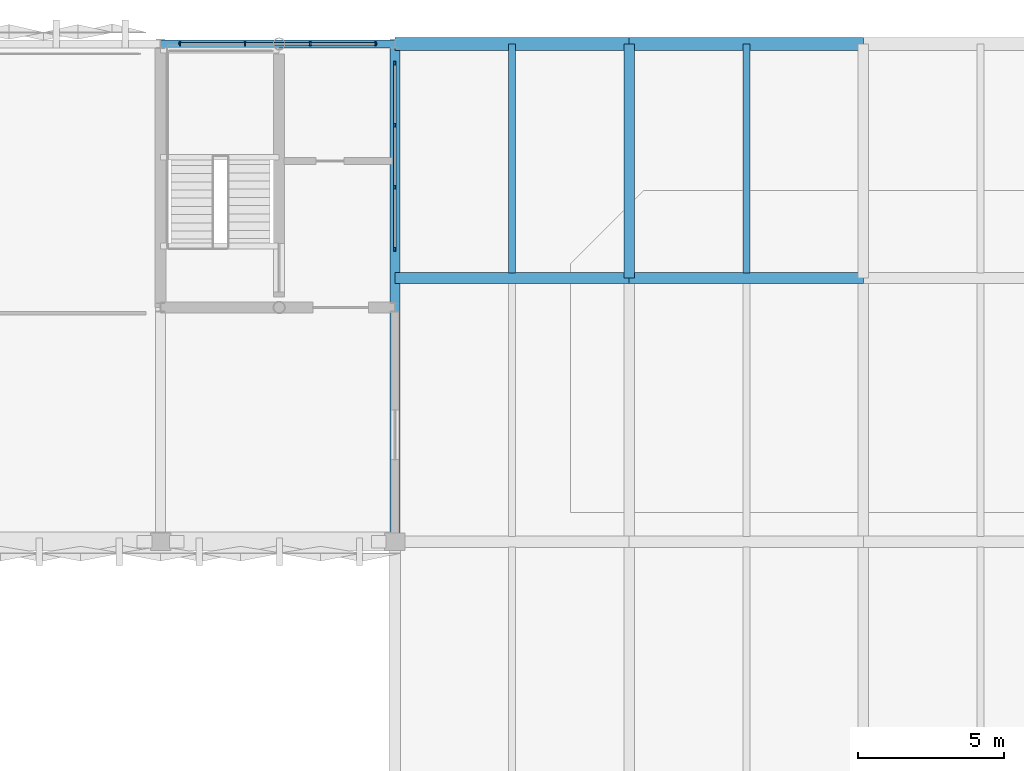
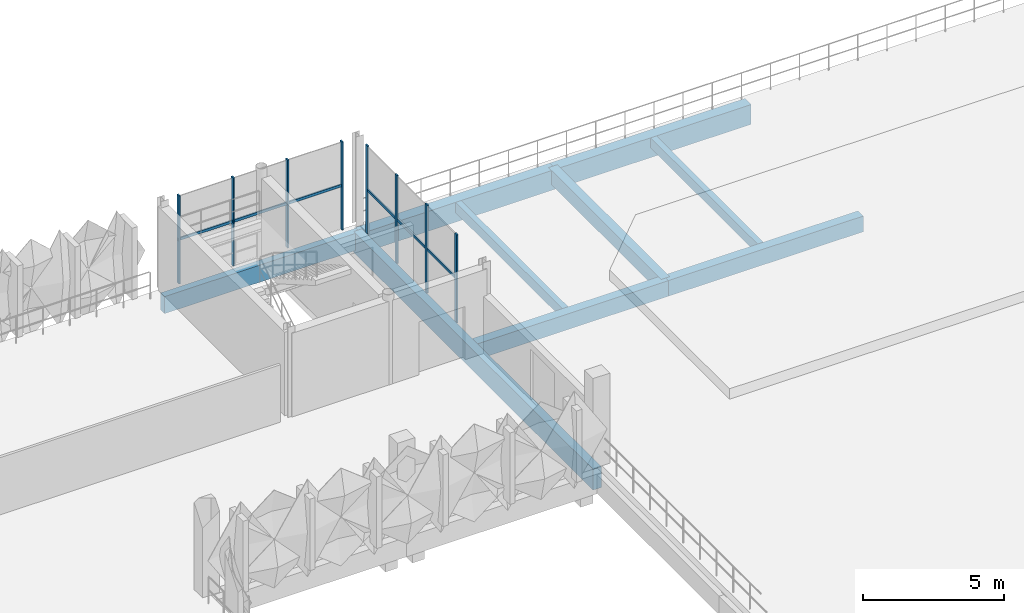
# One storey, part 16 of 52: 10 members, 9 beams, 2 elements without a shape of their own.
"""IFC4 building model written with IfcOpenShell, lengths in metres."""

import ifcopenshell
import ifcopenshell.guid

model = None  # the IFC model being written
_history = None  # IfcOwnerHistory: only IFC2X3 demands one
_inside = {}  # id of a spatial element -> (the spatial element, [elements in it])
_under = {}  # id of a project, library or spatial element -> (it, [spatial elements below it])
_declared = {}  # id of a project -> (the project, [libraries it declares])
_typed = {}  # id of a type object -> (the type object, [elements of that type])
_made_of = {}  # id of a material, layer set ... -> (it, [elements and type objects made of it])


def new_model(schema):
    """Start an empty IFC model of exactly this schema.

    Asked for "IFC4X3", IfcOpenShell would pick the latest addendum, in which some entities
    have other attributes; the version numbers below select the first issue.
    IFC2X3 requires an IfcOwnerHistory on every rooted entity: one is made here for all.
    """
    global model, _history
    if schema == "IFC4X3":
        model = ifcopenshell.file(schema_version=(4, 3, 0, 0))
    else:
        model = ifcopenshell.file(schema=schema)
    _inside.clear()
    _under.clear()
    _declared.clear()
    _typed.clear()
    _made_of.clear()
    _history = None
    if model.schema == "IFC2X3":
        org = make("IfcOrganization", Name="unknown")
        user = make(
            "IfcPersonAndOrganization",
            ThePerson=make("IfcPerson", FamilyName="unknown"),
            TheOrganization=org,
        )
        app = make(
            "IfcApplication",
            ApplicationDeveloper=org,
            Version="unknown",
            ApplicationFullName="unknown",
            ApplicationIdentifier="unknown",
        )
        _history = make(
            "IfcOwnerHistory",
            OwningUser=user,
            OwningApplication=app,
            ChangeAction="ADDED",
            CreationDate=0,
        )
    return model


def make(cls, **values):
    """One entity of the class cls with the attributes given. An attribute that is None is left unset."""
    return model.create_entity(
        cls, **{name: value for name, value in values.items() if value is not None}
    )


def rooted(cls, **values):
    """An entity with a GlobalId (a new one), such as an element, a storey or a relation."""
    return make(cls, GlobalId=ifcopenshell.guid.new(), OwnerHistory=_history, **values)


def si_unit(unit_type, name, prefix=None):
    """IfcSIUnit, for example si_unit("LENGTHUNIT", "METRE", prefix="MILLI")."""
    return make("IfcSIUnit", UnitType=unit_type, Prefix=prefix, Name=name)


def derived_unit(unit_type, elements):
    """IfcDerivedUnit: a product of units, each with its exponent."""
    return make(
        "IfcDerivedUnit",
        Elements=[
            make("IfcDerivedUnitElement", Unit=unit, Exponent=power)
            for unit, power in elements
        ],
        UnitType=unit_type,
    )


def assignment(units):
    """IfcUnitAssignment: the units of a project."""
    return None if units is None else make("IfcUnitAssignment", Units=units)


def point(xyz):
    """IfcCartesianPoint."""
    return None if xyz is None else make("IfcCartesianPoint", Coordinates=xyz)


def direction(xyz):
    """IfcDirection."""
    return None if xyz is None else make("IfcDirection", DirectionRatios=xyz)


def frame(location, z_axis=None, x_axis=None):
    """IfcAxis2Placement3D, a coordinate frame: its origin and axes. An axis left out is left unset."""
    return make(
        "IfcAxis2Placement3D",
        Location=point(location),
        Axis=direction(z_axis),
        RefDirection=direction(x_axis),
    )


def frame_2d(location, x_axis=None):
    """IfcAxis2Placement2D, a coordinate frame in the plane: its origin and x axis."""
    return make(
        "IfcAxis2Placement2D", Location=point(location), RefDirection=direction(x_axis)
    )


def origin():
    """The frame at (0, 0, 0) with its axes left unset."""
    return frame((0.0, 0.0, 0.0))


def origin_2d():
    """The frame at (0, 0) in the plane with its x axis left unset."""
    return frame_2d((0.0, 0.0))


def place(relative_to, where):
    """IfcLocalPlacement: puts the frame where relative to a parent placement (None: the world)."""
    return make(
        "IfcLocalPlacement", PlacementRelTo=relative_to, RelativePlacement=where
    )


def context(
    kind, dimensions, precision=None, world=None, true_north=None, identifier=None
):
    """IfcGeometricRepresentationContext, for example the 3D "Model" context."""
    return make(
        "IfcGeometricRepresentationContext",
        ContextIdentifier=identifier,
        ContextType=kind,
        CoordinateSpaceDimension=dimensions,
        Precision=precision,
        WorldCoordinateSystem=world,
        TrueNorth=true_north,
    )


def subcontext(parent, identifier, kind, view, scale=None):
    """IfcGeometricRepresentationSubContext, for example "Body" below "Model"."""
    return make(
        "IfcGeometricRepresentationSubContext",
        ContextIdentifier=identifier,
        ContextType=kind,
        ParentContext=parent,
        TargetScale=scale,
        TargetView=view,
    )


def project(units=None, contexts=None):
    """IfcProject with its units and contexts."""
    return rooted(
        "IfcProject",
        Name="project",
        RepresentationContexts=contexts,
        UnitsInContext=assignment(units),
    )


def spatial(cls, under=None, at=None, **own):
    """A site, building, storey or space (cls), placed at a placement, below another one or the project."""
    s = rooted(cls, ObjectPlacement=at, **own)
    if under is not None:
        _under.setdefault(under.id(), (under, []))[1].append(s)
    return s


def profile(cls, at=None, kind="AREA", **sizes):
    """A parametric profile (cls). Its sizes go by their IFC names, for example OverallWidth=200.0."""
    return make(cls, ProfileType=kind, Position=at, **sizes)


def rectangle(**sizes):
    """IfcRectangleProfileDef."""
    return profile("IfcRectangleProfileDef", **sizes)


def extrude(swept, where, along, depth):
    """IfcExtrudedAreaSolid: the profile swept, set in the frame where, extruded along a direction by depth."""
    return make(
        "IfcExtrudedAreaSolid",
        SweptArea=swept,
        Position=where,
        ExtrudedDirection=direction(along),
        Depth=depth,
    )


def shape(context_of_items, identifier, shape_type, items):
    """IfcShapeRepresentation: the items that make up one representation, for example the "Body"."""
    return make(
        "IfcShapeRepresentation",
        ContextOfItems=context_of_items,
        RepresentationIdentifier=identifier,
        RepresentationType=shape_type,
        Items=items,
    )


def material(Name=None, Category=None):
    """IfcMaterial."""
    return make("IfcMaterial", Name=Name, Category=Category)


def layer(
    of_material, thickness, ventilated=None, Name=None, Category=None, Priority=None
):
    """IfcMaterialLayer: one layer of a wall or slab, of a material (None: an air gap)."""
    return make(
        "IfcMaterialLayer",
        Material=of_material,
        LayerThickness=thickness,
        IsVentilated=ventilated,
        Name=Name,
        Category=Category,
        Priority=Priority,
    )


def layer_set(layers, Name=None):
    """IfcMaterialLayerSet."""
    return make("IfcMaterialLayerSet", MaterialLayers=layers, LayerSetName=Name)


def material_profile(
    of_material, cross_section, Name=None, Category=None, Priority=None
):
    """IfcMaterialProfile: a cross section and its material."""
    return make(
        "IfcMaterialProfile",
        Name=Name,
        Material=of_material,
        Profile=cross_section,
        Priority=Priority,
        Category=Category,
    )


def profile_set(profiles, Name=None, composite=None):
    """IfcMaterialProfileSet."""
    return make(
        "IfcMaterialProfileSet",
        Name=Name,
        MaterialProfiles=profiles,
        CompositeProfile=composite,
    )


def made_of(thing, what):
    """Note that an element or type object is made of a material, layer set ...; save() writes the relation."""
    if what is not None:
        _made_of.setdefault(what.id(), (what, []))[1].append(thing)
    return thing


def type_object(cls, material=None, **own):
    """A type object (cls), such as IfcWallType, which elements share."""
    return made_of(rooted(cls, **own), material)


def element(
    cls,
    number,
    at=None,
    inside=None,
    cuts=None,
    type_object=None,
    material=None,
    context=None,
    identifier="Body",
    shape_type=None,
    held_by="IfcProductDefinitionShape",
    body=None,
    shapes=None,
    **own,
):
    """One element of the class cls, such as IfcWall. Its Tag is "e" and its number.

    at: its placement. inside: the storey or other place that contains it. cuts: it is an
    opening in that element (IfcRelVoidsElement). A single representation is given by context,
    identifier, shape_type and body (its items); several are given by shapes. held_by: the class
    of the entity that holds the representations. save() writes the other relations.
    """
    e = rooted(cls, Tag="e%d" % number, ObjectPlacement=at, **own)
    if body is not None:
        shapes = [shape(context, identifier, shape_type, body)]
    if shapes is not None:
        e.Representation = make(held_by, Representations=shapes)
    if inside is not None:
        _inside.setdefault(inside.id(), (inside, []))[1].append(e)
    if cuts is not None:
        rooted(
            "IfcRelVoidsElement", RelatingBuildingElement=cuts, RelatedOpeningElement=e
        )
    if type_object is not None:
        _typed.setdefault(type_object.id(), (type_object, []))[1].append(e)
    return made_of(e, material)


def aggregate(whole, parts):
    """IfcRelAggregates: a whole, such as a stair, and the parts it consists of."""
    return rooted("IfcRelAggregates", RelatingObject=whole, RelatedObjects=parts)


def save(model, path):
    """Write the relations noted so far, then the file.

    IfcRelAggregates (storeys below a building ...), IfcRelContainedInSpatialStructure (elements
    in a storey), IfcRelDefinesByType, IfcRelAssociatesMaterial and IfcRelDeclares: one each for
    every whole, place, type object, material and project.
    """
    for whole, parts in _under.values():
        aggregate(whole, parts)
    for where, things in _inside.values():
        rooted(
            "IfcRelContainedInSpatialStructure",
            RelatedElements=things,
            RelatingStructure=where,
        )
    for kind, things in _typed.values():
        rooted("IfcRelDefinesByType", RelatedObjects=things, RelatingType=kind)
    for what, things in _made_of.values():
        rooted("IfcRelAssociatesMaterial", RelatedObjects=things, RelatingMaterial=what)
    for by, libraries in _declared.values():
        rooted("IfcRelDeclares", RelatingContext=by, RelatedDefinitions=libraries)
    model.write(path)


model = new_model("IFC4")

# Units and contexts
model_context = context("Model", 3, precision=1e-05, world=origin(), true_north=direction((0.0, 1.0)))
body_context = subcontext(model_context, "Body", "Model", "MODEL_VIEW")
ifc_project = project(units=[si_unit("LENGTHUNIT", "METRE"), si_unit("AREAUNIT", "SQUARE_METRE"), si_unit("VOLUMEUNIT", "CUBIC_METRE"), si_unit("PLANEANGLEUNIT", "RADIAN"), si_unit("MASSUNIT", "GRAM", prefix="KILO"), si_unit("THERMODYNAMICTEMPERATUREUNIT", "KELVIN"), derived_unit("THERMALTRANSMITTANCEUNIT", [(si_unit("POWERUNIT", "WATT"), 1), (si_unit("AREAUNIT", "SQUARE_METRE"), -1), (si_unit("THERMODYNAMICTEMPERATUREUNIT", "KELVIN"), -1)])], contexts=[model_context])

# Site, building, storey
site_placement = place(None, origin())
site = spatial("IfcSite", under=ifc_project, at=site_placement, CompositionType="ELEMENT")
building_placement = place(site_placement, origin())
building = spatial("IfcBuilding", under=site, at=building_placement, Name="Haiyu Intermodal Mobility Hub", CompositionType="ELEMENT")
storey_placement = place(building_placement, frame((0.0, 0.0, 21.199951171875)))
storey = spatial("IfcBuildingStorey", under=building, at=storey_placement, Name="L05", CompositionType="ELEMENT", Elevation=21.199951171875)

# Beams
ifc_material_1 = material(Name="Concrete C40", Category="concrete")
ifc_material_profile_1 = material_profile(ifc_material_1, rectangle(XDim=0.3798828125, YDim=0.679931640625, at=origin_2d()), Name="B380x680")
ifc_profile_set_1 = profile_set([ifc_material_profile_1], Name="Concrete C40")
beam_type_1 = type_object("IfcBeamType", Name="BM-CB15", PredefinedType="BEAM", material=ifc_profile_set_1)
for number, where, z_axis, x_axis, name in (
    (1, (162.0, 140.0, -0.639892578125), (1.0, 0.0, 0.0), (0.0, 1.0, 0.0), "BM-V6G-L05-043"),
    (2, (170.0, 140.0, -0.639892578125), (1.0, 0.0, 0.0), (0.0, 1.0, 0.0), "BM-V6G-L05-044"),
):
    element("IfcBeam", number, at=place(storey_placement, frame(where, z_axis=z_axis, x_axis=x_axis)), inside=storey, type_object=beam_type_1, Name=name, PredefinedType="BEAM", context=body_context, shape_type="SweptSolid", body=[
        extrude(rectangle(XDim=0.3798828125, YDim=0.679931640625, at=origin_2d()), origin(), (0.0, 0.0, 1.0), 8.0),
    ])
ifc_material_profile_2 = material_profile(ifc_material_1, rectangle(XDim=0.360107421875, YDim=0.6201171875, at=origin_2d()), Name="B360x620")
ifc_profile_set_2 = profile_set([ifc_material_profile_2], Name="Concrete C40")
beam_type_2 = type_object("IfcBeamType", Name="BM-CB16", PredefinedType="BEAM", material=ifc_profile_set_2)
beam_1_placement = place(storey_placement, frame((170.0, 140.0, -0.60986328125), z_axis=(0.0, 1.0, 0.0), x_axis=(-1.0, 0.0, 0.0)))
element("IfcBeam", 3, at=beam_1_placement, inside=storey, type_object=beam_type_2, Name="BM-V6T-L05-016", PredefinedType="BEAM", context=body_context, shape_type="SweptSolid", body=[
    extrude(rectangle(XDim=0.360107421875, YDim=0.6201171875, at=origin_2d()), origin(), (0.0, 0.0, 1.0), 8.0),
])
ifc_material_profile_3 = material_profile(ifc_material_1, rectangle(XDim=0.239990234375, YDim=0.43994140625, at=origin_2d()), Name="B240x440")
ifc_profile_set_3 = profile_set([ifc_material_profile_3], Name="Concrete C40")
beam_type_3 = type_object("IfcBeamType", Name="BM-CB19", PredefinedType="JOIST", material=ifc_profile_set_3)
for number, where, z_axis, x_axis, name in (
    (4, (166.0, 140.175048828125, -0.52001953125), (0.0, 1.0, 0.0), (-1.0, 0.0, 0.0), "BM-V6J-L05-008"),
    (5, (174.0, 140.175048828125, -0.52001953125), (0.0, 1.0, 0.0), (-1.0, 0.0, 0.0), "BM-V6J-L05-016"),
):
    element("IfcBeam", number, at=place(storey_placement, frame(where, z_axis=z_axis, x_axis=x_axis)), inside=storey, type_object=beam_type_3, Name=name, PredefinedType="JOIST", context=body_context, shape_type="SweptSolid", body=[
        extrude(rectangle(XDim=0.239990234375, YDim=0.43994140625, at=origin_2d()), origin(), (0.0, 0.0, 1.0), 7.824951171875),
    ])
ifc_material_profile_4 = material_profile(ifc_material_1, rectangle(XDim=0.43994140625, YDim=0.860107421875, at=origin_2d()), Name="B440x860")
ifc_profile_set_4 = profile_set([ifc_material_profile_4], Name="Concrete C40")
beam_type_4 = type_object("IfcBeamType", Name="BM-CB20", PredefinedType="BEAM", material=ifc_profile_set_4)
for number, where, z_axis, x_axis, name in (
    (6, (162.0, 148.0, -0.72998046875), (1.0, 0.0, 0.0), (0.0, 1.0, 0.0), "BM-V6G-L05-049"),
    (7, (170.0, 148.0, -0.72998046875), (1.0, 0.0, 0.0), (0.0, 1.0, 0.0), "BM-V6G-L05-050"),
):
    element("IfcBeam", number, at=place(storey_placement, frame(where, z_axis=z_axis, x_axis=x_axis)), inside=storey, type_object=beam_type_4, Name=name, PredefinedType="BEAM", context=body_context, shape_type="SweptSolid", body=[
        extrude(rectangle(XDim=0.43994140625, YDim=0.860107421875, at=origin_2d()), origin(), (0.0, 0.0, 1.0), 8.0),
    ])
ifc_material_2 = material(Name="Precast concrete C40", Category="concrete")
ifc_material_profile_5 = material_profile(ifc_material_2, rectangle(XDim=0.340087890625, YDim=0.89990234375, at=origin_2d()), Name="B340x900")
ifc_profile_set_5 = profile_set([ifc_material_profile_5], Name="Precast concrete C40")
beam_type_5 = type_object("IfcBeamType", Name="BM-SP04", PredefinedType="SPANDREL", material=ifc_profile_set_5)
beam_2_placement = place(storey_placement, frame((162.0, 131.0, -0.724853515625), z_axis=(0.0, 1.0, 0.0), x_axis=(-1.0, 0.0, 0.0)))
element("IfcBeam", 8, at=beam_2_placement, inside=storey, type_object=beam_type_5, Name="BM-V4E-L05-043", PredefinedType="SPANDREL", context=body_context, shape_type="SweptSolid", body=[
    extrude(rectangle(XDim=0.340087890625, YDim=0.89990234375, at=origin_2d()), origin(), (0.0, 0.0, 1.0), 17.0),
])
ifc_material_profile_6 = material_profile(ifc_material_2, rectangle(XDim=0.280029296875, YDim=0.739990234375, at=origin_2d()), Name="B280x740")
ifc_profile_set_6 = profile_set([ifc_material_profile_6], Name="Precast concrete C40")
beam_type_6 = type_object("IfcBeamType", Name="BM-SP05", PredefinedType="SPANDREL", material=ifc_profile_set_6)
beam_3_placement = place(storey_placement, frame((154.0, 148.0, -0.64501953125), z_axis=(1.0, 0.0, 0.0), x_axis=(0.0, 1.0, 0.0)))
element("IfcBeam", 9, at=beam_3_placement, inside=storey, type_object=beam_type_6, Name="BM-V4G-L05-056", PredefinedType="SPANDREL", context=body_context, shape_type="SweptSolid", body=[
    extrude(rectangle(XDim=0.280029296875, YDim=0.739990234375, at=origin_2d()), origin(), (0.0, 0.0, 1.0), 8.0),
])

# Curtain wall, members
ifc_material_3 = material(Name="Low-e laminated insulating glass", Category="glass")
ifc_layer = layer(ifc_material_3, 0.199951171875)
ifc_layer_set = layer_set([ifc_layer], Name="Low-e laminated insulating glass")
curtain_wall_type = type_object("IfcCurtainWallType", Name="CW-CW03", PredefinedType="NOTDEFINED", material=ifc_layer_set)
curtain_wall_1_placement = place(storey_placement, origin())
curtain_wall_1 = element("IfcCurtainWall", 10, at=curtain_wall_1_placement, inside=storey, type_object=curtain_wall_type, Name="Curtain Wall CW-C4N-L05-073", PredefinedType="NOTDEFINED")
ifc_material_4 = material(Name="Anodised aluminium 6063-T6", Category="aluminium")
ifc_material_profile_7 = material_profile(ifc_material_4, rectangle(XDim=0.06005859375, YDim=0.14501953125, at=origin_2d()), Name="ALU60x145")
ifc_profile_set_7 = profile_set([ifc_material_profile_7], Name="Anodised aluminium 6063-T6")
member_type_1 = type_object("IfcMemberType", Name="CWM-ML03", PredefinedType="MULLION", material=ifc_profile_set_7)
member_1_placement = place(storey_placement, frame((161.340087890625, 148.0, 0.0), z_axis=(0.0, 0.0, 1.0), x_axis=(1.0, 0.0, 0.0)))
member_1 = element("IfcMember", 11, at=member_1_placement, type_object=member_type_1, Name="CW-C4N-L05-073-ML01", PredefinedType="MULLION", context=body_context, shape_type="SweptSolid", body=[
    extrude(rectangle(XDim=0.06005859375, YDim=0.14501953125, at=origin_2d()), origin(), (0.0, 0.0, 1.0), 3.820068359375),
])
member_2_placement = place(storey_placement, frame((159.113037109375, 148.0, 0.0), z_axis=(0.0, 0.0, 1.0), x_axis=(1.0, 0.0, 0.0)))
member_2 = element("IfcMember", 12, at=member_2_placement, type_object=member_type_1, Name="CW-C4N-L05-073-ML02", PredefinedType="MULLION", context=body_context, shape_type="SweptSolid", body=[
    extrude(rectangle(XDim=0.06005859375, YDim=0.14501953125, at=origin_2d()), origin(), (0.0, 0.0, 1.0), 3.820068359375),
])
member_3_placement = place(storey_placement, frame((156.886962890625, 148.0, 0.0), z_axis=(0.0, 0.0, 1.0), x_axis=(1.0, 0.0, 0.0)))
member_3 = element("IfcMember", 13, at=member_3_placement, type_object=member_type_1, Name="CW-C4N-L05-073-ML03", PredefinedType="MULLION", context=body_context, shape_type="SweptSolid", body=[
    extrude(rectangle(XDim=0.06005859375, YDim=0.14501953125, at=origin_2d()), origin(), (0.0, 0.0, 1.0), 3.820068359375),
])
member_4_placement = place(storey_placement, frame((154.659912109375, 148.0, 0.0), z_axis=(0.0, 0.0, 1.0), x_axis=(1.0, 0.0, 0.0)))
member_4 = element("IfcMember", 14, at=member_4_placement, type_object=member_type_1, Name="CW-C4N-L05-073-ML04", PredefinedType="MULLION", context=body_context, shape_type="SweptSolid", body=[
    extrude(rectangle(XDim=0.06005859375, YDim=0.14501953125, at=origin_2d()), origin(), (0.0, 0.0, 1.0), 3.820068359375),
])

curtain_wall_2_placement = place(storey_placement, origin())
curtain_wall_2 = element("IfcCurtainWall", 15, at=curtain_wall_2_placement, inside=storey, type_object=curtain_wall_type, Name="Curtain Wall CW-C4S-L05-074", PredefinedType="NOTDEFINED")
member_5_placement = place(storey_placement, frame((162.0, 140.989990234375, 0.0), z_axis=(0.0, 0.0, 1.0), x_axis=(1.0, 0.0, 0.0)))
member_5 = element("IfcMember", 16, at=member_5_placement, type_object=member_type_1, Name="CW-C4S-L05-074-ML01", PredefinedType="MULLION", context=body_context, shape_type="SweptSolid", body=[
    extrude(rectangle(XDim=0.06005859375, YDim=0.14501953125, at=origin_2d()), origin(), (0.0, 0.0, 1.0), 3.820068359375),
])
member_6_placement = place(storey_placement, frame((162.0, 143.10693359375, 0.0), z_axis=(0.0, 0.0, 1.0), x_axis=(1.0, 0.0, 0.0)))
member_6 = element("IfcMember", 17, at=member_6_placement, type_object=member_type_1, Name="CW-C4S-L05-074-ML02", PredefinedType="MULLION", context=body_context, shape_type="SweptSolid", body=[
    extrude(rectangle(XDim=0.06005859375, YDim=0.14501953125, at=origin_2d()), origin(), (0.0, 0.0, 1.0), 3.820068359375),
])
member_7_placement = place(storey_placement, frame((162.0, 145.222900390625, 0.0), z_axis=(0.0, 0.0, 1.0), x_axis=(1.0, 0.0, 0.0)))
member_7 = element("IfcMember", 18, at=member_7_placement, type_object=member_type_1, Name="CW-C4S-L05-074-ML03", PredefinedType="MULLION", context=body_context, shape_type="SweptSolid", body=[
    extrude(rectangle(XDim=0.06005859375, YDim=0.14501953125, at=origin_2d()), origin(), (0.0, 0.0, 1.0), 3.820068359375),
])
member_8_placement = place(storey_placement, frame((162.0, 147.340087890625, 0.0), z_axis=(0.0, 0.0, 1.0), x_axis=(1.0, 0.0, 0.0)))
member_8 = element("IfcMember", 19, at=member_8_placement, type_object=member_type_1, Name="CW-C4S-L05-074-ML04", PredefinedType="MULLION", context=body_context, shape_type="SweptSolid", body=[
    extrude(rectangle(XDim=0.06005859375, YDim=0.14501953125, at=origin_2d()), origin(), (0.0, 0.0, 1.0), 3.820068359375),
])

# Member
ifc_material_profile_8 = material_profile(ifc_material_4, rectangle(XDim=0.06005859375, YDim=0.114990234375, at=origin_2d()), Name="ALU60x115")
ifc_profile_set_8 = profile_set([ifc_material_profile_8], Name="Anodised aluminium 6063-T6")
member_type_2 = type_object("IfcMemberType", Name="CWM-TR03", PredefinedType="USERDEFINED", material=ifc_profile_set_8)
member_9_placement = place(storey_placement, frame((161.3798828125, 148.0, 1.91015625), z_axis=(-1.0, 0.0, 0.0), x_axis=(0.0, -1.0, 0.0)))
member_9 = element("IfcMember", 20, at=member_9_placement, type_object=member_type_2, Name="CW-C4N-L05-073-TR01", ObjectType="TRANSOM", PredefinedType="USERDEFINED", context=body_context, shape_type="SweptSolid", body=[
    extrude(rectangle(XDim=0.06005859375, YDim=0.114990234375, at=origin_2d()), origin(), (0.0, 0.0, 1.0), 6.759765625),
])

aggregate(curtain_wall_1, [member_1, member_2, member_3, member_4, member_9])

member_10_placement = place(storey_placement, frame((162.0, 140.949951171875, 1.91015625), z_axis=(0.0, 1.0, 0.0), x_axis=(-1.0, 0.0, 0.0)))
member_10 = element("IfcMember", 21, at=member_10_placement, type_object=member_type_2, Name="CW-C4S-L05-074-TR01", ObjectType="TRANSOM", PredefinedType="USERDEFINED", context=body_context, shape_type="SweptSolid", body=[
    extrude(rectangle(XDim=0.06005859375, YDim=0.114990234375, at=origin_2d()), origin(), (0.0, 0.0, 1.0), 6.429931640625),
])

aggregate(curtain_wall_2, [member_5, member_6, member_7, member_8, member_10])

save(model, "model.ifc")
